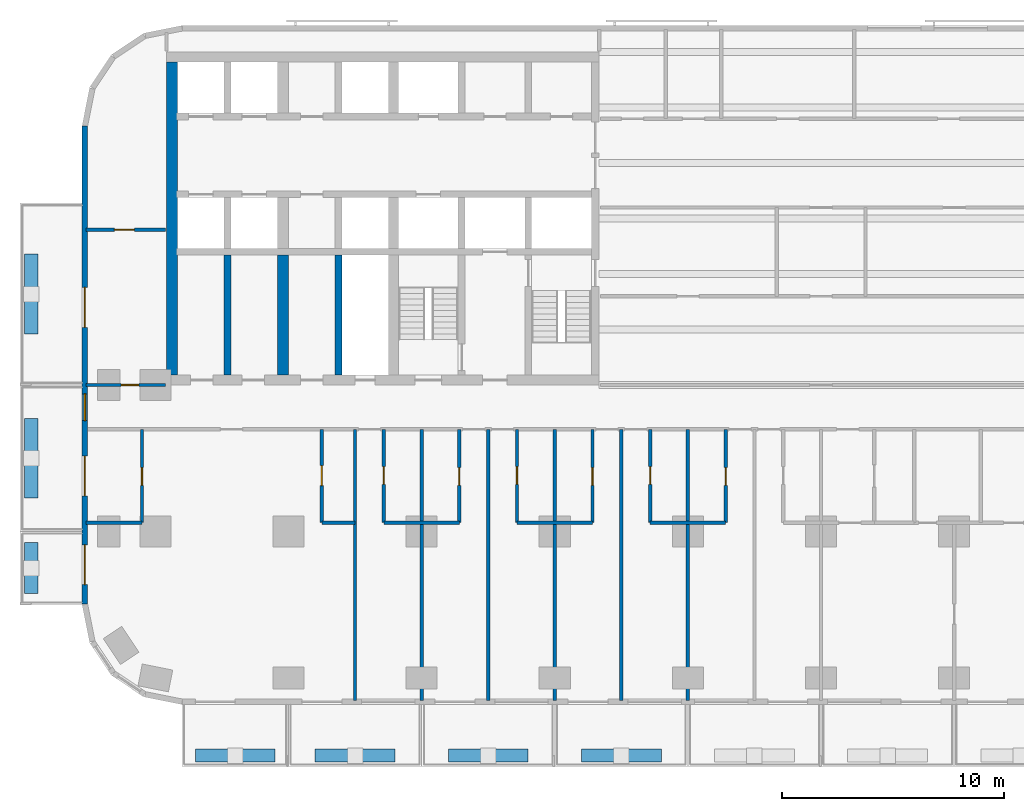
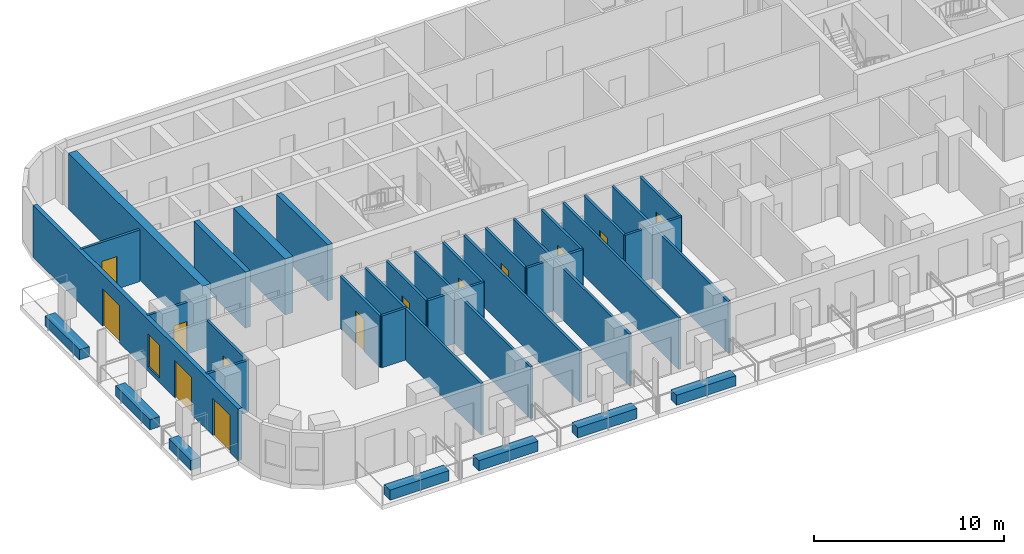
# One storey, part 2 of 13: 33 walls, 13 doors, 1 window, 14 openings.
"""IFC4 building model written with IfcOpenShell, lengths in metres."""

import ifcopenshell
import ifcopenshell.guid

model = None  # the IFC model being written
_history = None  # IfcOwnerHistory: only IFC2X3 demands one
_inside = {}  # id of a spatial element -> (the spatial element, [elements in it])
_under = {}  # id of a project, library or spatial element -> (it, [spatial elements below it])
_declared = {}  # id of a project -> (the project, [libraries it declares])
_typed = {}  # id of a type object -> (the type object, [elements of that type])
_made_of = {}  # id of a material, layer set ... -> (it, [elements and type objects made of it])


def new_model(schema):
    """Start an empty IFC model of exactly this schema.

    Asked for "IFC4X3", IfcOpenShell would pick the latest addendum, in which some entities
    have other attributes; the version numbers below select the first issue.
    IFC2X3 requires an IfcOwnerHistory on every rooted entity: one is made here for all.
    """
    global model, _history
    if schema == "IFC4X3":
        model = ifcopenshell.file(schema_version=(4, 3, 0, 0))
    else:
        model = ifcopenshell.file(schema=schema)
    _inside.clear()
    _under.clear()
    _declared.clear()
    _typed.clear()
    _made_of.clear()
    _history = None
    if model.schema == "IFC2X3":
        org = make("IfcOrganization", Name="unknown")
        user = make(
            "IfcPersonAndOrganization",
            ThePerson=make("IfcPerson", FamilyName="unknown"),
            TheOrganization=org,
        )
        app = make(
            "IfcApplication",
            ApplicationDeveloper=org,
            Version="unknown",
            ApplicationFullName="unknown",
            ApplicationIdentifier="unknown",
        )
        _history = make(
            "IfcOwnerHistory",
            OwningUser=user,
            OwningApplication=app,
            ChangeAction="ADDED",
            CreationDate=0,
        )
    return model


def make(cls, **values):
    """One entity of the class cls with the attributes given. An attribute that is None is left unset."""
    return model.create_entity(
        cls, **{name: value for name, value in values.items() if value is not None}
    )


def rooted(cls, **values):
    """An entity with a GlobalId (a new one), such as an element, a storey or a relation."""
    return make(cls, GlobalId=ifcopenshell.guid.new(), OwnerHistory=_history, **values)


def si_unit(unit_type, name, prefix=None):
    """IfcSIUnit, for example si_unit("LENGTHUNIT", "METRE", prefix="MILLI")."""
    return make("IfcSIUnit", UnitType=unit_type, Prefix=prefix, Name=name)


def assignment(units):
    """IfcUnitAssignment: the units of a project."""
    return None if units is None else make("IfcUnitAssignment", Units=units)


def point(xyz):
    """IfcCartesianPoint."""
    return None if xyz is None else make("IfcCartesianPoint", Coordinates=xyz)


def direction(xyz):
    """IfcDirection."""
    return None if xyz is None else make("IfcDirection", DirectionRatios=xyz)


def frame(location, z_axis=None, x_axis=None):
    """IfcAxis2Placement3D, a coordinate frame: its origin and axes. An axis left out is left unset."""
    return make(
        "IfcAxis2Placement3D",
        Location=point(location),
        Axis=direction(z_axis),
        RefDirection=direction(x_axis),
    )


def frame_2d(location, x_axis=None):
    """IfcAxis2Placement2D, a coordinate frame in the plane: its origin and x axis."""
    return make(
        "IfcAxis2Placement2D", Location=point(location), RefDirection=direction(x_axis)
    )


def origin():
    """The frame at (0, 0, 0) with its axes left unset."""
    return frame((0.0, 0.0, 0.0))


def place(relative_to, where):
    """IfcLocalPlacement: puts the frame where relative to a parent placement (None: the world)."""
    return make(
        "IfcLocalPlacement", PlacementRelTo=relative_to, RelativePlacement=where
    )


def context(
    kind, dimensions, precision=None, world=None, true_north=None, identifier=None
):
    """IfcGeometricRepresentationContext, for example the 3D "Model" context."""
    return make(
        "IfcGeometricRepresentationContext",
        ContextIdentifier=identifier,
        ContextType=kind,
        CoordinateSpaceDimension=dimensions,
        Precision=precision,
        WorldCoordinateSystem=world,
        TrueNorth=true_north,
    )


def subcontext(parent, identifier, kind, view, scale=None):
    """IfcGeometricRepresentationSubContext, for example "Body" below "Model"."""
    return make(
        "IfcGeometricRepresentationSubContext",
        ContextIdentifier=identifier,
        ContextType=kind,
        ParentContext=parent,
        TargetScale=scale,
        TargetView=view,
    )


def project(units=None, contexts=None):
    """IfcProject with its units and contexts."""
    return rooted(
        "IfcProject",
        Name="project",
        RepresentationContexts=contexts,
        UnitsInContext=assignment(units),
    )


def spatial(cls, under=None, at=None, **own):
    """A site, building, storey or space (cls), placed at a placement, below another one or the project."""
    s = rooted(cls, ObjectPlacement=at, **own)
    if under is not None:
        _under.setdefault(under.id(), (under, []))[1].append(s)
    return s


def profile(cls, at=None, kind="AREA", **sizes):
    """A parametric profile (cls). Its sizes go by their IFC names, for example OverallWidth=200.0."""
    return make(cls, ProfileType=kind, Position=at, **sizes)


def rectangle(**sizes):
    """IfcRectangleProfileDef."""
    return profile("IfcRectangleProfileDef", **sizes)


def extrude(swept, where, along, depth):
    """IfcExtrudedAreaSolid: the profile swept, set in the frame where, extruded along a direction by depth."""
    return make(
        "IfcExtrudedAreaSolid",
        SweptArea=swept,
        Position=where,
        ExtrudedDirection=direction(along),
        Depth=depth,
    )


def shape(context_of_items, identifier, shape_type, items):
    """IfcShapeRepresentation: the items that make up one representation, for example the "Body"."""
    return make(
        "IfcShapeRepresentation",
        ContextOfItems=context_of_items,
        RepresentationIdentifier=identifier,
        RepresentationType=shape_type,
        Items=items,
    )


def material(Name=None, Category=None):
    """IfcMaterial."""
    return make("IfcMaterial", Name=Name, Category=Category)


def layer(
    of_material, thickness, ventilated=None, Name=None, Category=None, Priority=None
):
    """IfcMaterialLayer: one layer of a wall or slab, of a material (None: an air gap)."""
    return make(
        "IfcMaterialLayer",
        Material=of_material,
        LayerThickness=thickness,
        IsVentilated=ventilated,
        Name=Name,
        Category=Category,
        Priority=Priority,
    )


def layer_set(layers, Name=None):
    """IfcMaterialLayerSet."""
    return make("IfcMaterialLayerSet", MaterialLayers=layers, LayerSetName=Name)


def made_of(thing, what):
    """Note that an element or type object is made of a material, layer set ...; save() writes the relation."""
    if what is not None:
        _made_of.setdefault(what.id(), (what, []))[1].append(thing)
    return thing


def type_object(cls, material=None, **own):
    """A type object (cls), such as IfcWallType, which elements share."""
    return made_of(rooted(cls, **own), material)


def element(
    cls,
    number,
    at=None,
    inside=None,
    cuts=None,
    type_object=None,
    material=None,
    context=None,
    identifier="Body",
    shape_type=None,
    held_by="IfcProductDefinitionShape",
    body=None,
    shapes=None,
    **own,
):
    """One element of the class cls, such as IfcWall. Its Tag is "e" and its number.

    at: its placement. inside: the storey or other place that contains it. cuts: it is an
    opening in that element (IfcRelVoidsElement). A single representation is given by context,
    identifier, shape_type and body (its items); several are given by shapes. held_by: the class
    of the entity that holds the representations. save() writes the other relations.
    """
    e = rooted(cls, Tag="e%d" % number, ObjectPlacement=at, **own)
    if body is not None:
        shapes = [shape(context, identifier, shape_type, body)]
    if shapes is not None:
        e.Representation = make(held_by, Representations=shapes)
    if inside is not None:
        _inside.setdefault(inside.id(), (inside, []))[1].append(e)
    if cuts is not None:
        rooted(
            "IfcRelVoidsElement", RelatingBuildingElement=cuts, RelatedOpeningElement=e
        )
    if type_object is not None:
        _typed.setdefault(type_object.id(), (type_object, []))[1].append(e)
    return made_of(e, material)


def fill(opening, filler):
    """IfcRelFillsElement: the door or window that sits in an opening."""
    return rooted(
        "IfcRelFillsElement",
        RelatingOpeningElement=opening,
        RelatedBuildingElement=filler,
    )


def aggregate(whole, parts):
    """IfcRelAggregates: a whole, such as a stair, and the parts it consists of."""
    return rooted("IfcRelAggregates", RelatingObject=whole, RelatedObjects=parts)


def save(model, path):
    """Write the relations noted so far, then the file.

    IfcRelAggregates (storeys below a building ...), IfcRelContainedInSpatialStructure (elements
    in a storey), IfcRelDefinesByType, IfcRelAssociatesMaterial and IfcRelDeclares: one each for
    every whole, place, type object, material and project.
    """
    for whole, parts in _under.values():
        aggregate(whole, parts)
    for where, things in _inside.values():
        rooted(
            "IfcRelContainedInSpatialStructure",
            RelatedElements=things,
            RelatingStructure=where,
        )
    for kind, things in _typed.values():
        rooted("IfcRelDefinesByType", RelatedObjects=things, RelatingType=kind)
    for what, things in _made_of.values():
        rooted("IfcRelAssociatesMaterial", RelatedObjects=things, RelatingMaterial=what)
    for by, libraries in _declared.values():
        rooted("IfcRelDeclares", RelatingContext=by, RelatedDefinitions=libraries)
    model.write(path)


model = new_model("IFC4")

# Units and contexts
model_context = context("Model", 3, precision=1e-05, world=origin(), true_north=direction((0.0, 1.0)))
body_context = subcontext(model_context, "Body", "Model", "MODEL_VIEW")
ifc_project = project(units=[si_unit("LENGTHUNIT", "METRE"), si_unit("AREAUNIT", "SQUARE_METRE"), si_unit("VOLUMEUNIT", "CUBIC_METRE"), si_unit("PLANEANGLEUNIT", "RADIAN"), si_unit("MASSUNIT", "GRAM", prefix="KILO")], contexts=[model_context])

# Site, building, storey
site_placement = place(None, origin())
site = spatial("IfcSite", under=ifc_project, at=site_placement, CompositionType="ELEMENT")
building_placement = place(site_placement, origin())
building = spatial("IfcBuilding", under=site, at=building_placement, Name="Torana Hotel and Residences", CompositionType="ELEMENT")
storey_placement = place(building_placement, frame((0.0, 0.0, 56.39990234375)))
storey = spatial("IfcBuildingStorey", under=building, at=storey_placement, Name="L13", CompositionType="ELEMENT", Elevation=56.39990234375)

# Walls
ifc_material_1 = material(Name="Concrete C80/95", Category="concrete")
ifc_layer_1 = layer(ifc_material_1, 0.300048828125)
ifc_layer_set_1 = layer_set([ifc_layer_1], Name="CORE WALL 300 C80/95")
wall_type_1 = type_object("IfcWallType", Name="CORE WALL 300 C80/95", PredefinedType="SHEAR", material=ifc_layer_set_1)
for number, where, z_axis, x_axis, name in (
    (1, (-21.75, -14.550048828125, 0.0), (0.0, 0.0, 1.0), (0.0, 1.0, 0.0), "Core wall W mm-band"),
    (2, (-26.75, -14.550048828125, 0.0), (0.0, 0.0, 1.0), (0.0, 1.0, 0.0), "Core wall W ll-band"),
):
    element("IfcWall", number, at=place(storey_placement, frame(where, z_axis=z_axis, x_axis=x_axis)), inside=storey, type_object=wall_type_1, Name=name, PredefinedType="SHEAR", context=body_context, shape_type="SweptSolid", body=[
        extrude(rectangle(XDim=5.400146484375, YDim=0.300048828125, at=frame_2d((2.7001953125, 0.0))), origin(), (0.0, 0.0, 1.0), 3.60009765625),
    ])
ifc_material_2 = material(Name="Concrete C80/95", Category="concrete")
ifc_layer_2 = layer(ifc_material_2, 0.5)
ifc_layer_set_2 = layer_set([ifc_layer_2], Name="CORE WALL 500 C80/95")
wall_type_2 = type_object("IfcWallType", Name="CORE WALL 500 C80/95", PredefinedType="SHEAR", material=ifc_layer_set_2)
wall_1_placement = place(storey_placement, frame((-29.25, -14.550048828125, 0.0), z_axis=(0.0, 0.0, 1.0), x_axis=(0.0, 1.0, 0.0)))
element("IfcWall", 3, at=wall_1_placement, inside=storey, type_object=wall_type_2, Name="Core wall W outer", PredefinedType="SHEAR", context=body_context, shape_type="SweptSolid", body=[
    extrude(rectangle(XDim=14.10009765625, YDim=0.5, at=frame_2d((7.050048828125, 0.0))), origin(), (0.0, 0.0, 1.0), 3.60009765625),
])
wall_2_placement = place(storey_placement, frame((-24.25, -14.550048828125, 0.0), z_axis=(0.0, 0.0, 1.0), x_axis=(0.0, 1.0, 0.0)))
element("IfcWall", 4, at=wall_2_placement, inside=storey, type_object=wall_type_2, Name="Core wall W ml-band", PredefinedType="SHEAR", context=body_context, shape_type="SweptSolid", body=[
    extrude(rectangle(XDim=5.400146484375, YDim=0.5, at=frame_2d((2.7001953125, 0.0))), origin(), (0.0, 0.0, 1.0), 3.60009765625),
])

# Wall, openings, doors, window
ifc_material_3 = material(Name="Black aluminium composite panel", Category="aluminium")
ifc_layer_3 = layer(ifc_material_3, 0.00390625, Name="Cladding", Category="cladding")
ifc_material_4 = material(Name="Ventilated air cavity")
ifc_layer_4 = layer(ifc_material_4, 0.0400390625, Name="Ventilated cavity", Category="cavity")
ifc_material_5 = material(Name="Mineral wool insulation")
ifc_layer_5 = layer(ifc_material_5, 0.090087890625, Name="Insulation", Category="insulation")
ifc_material_6 = material(Name="Steel S280GD", Category="steel")
ifc_layer_6 = layer(ifc_material_6, 0.092041015625, Name="Steel stud frame", Category="structure")
ifc_material_7 = material(Name="Fire rated plasterboard")
ifc_layer_7 = layer(ifc_material_7, 0.011962890625, Name="Inner board", Category="finish")
ifc_layer_8 = layer(ifc_material_7, 0.011962890625, Name="Second board", Category="finish")
ifc_layer_set_3 = layer_set([ifc_layer_3, ifc_layer_4, ifc_layer_5, ifc_layer_6, ifc_layer_7, ifc_layer_8], Name="EW1 EXTERNAL WALL BLACK METAL CLAD 250")
wall_type_3 = type_object("IfcWallType", Name="EW1 EXTERNAL WALL BLACK METAL CLAD 250", PredefinedType="SOLIDWALL", material=ifc_layer_set_3)
wall_3_placement = place(storey_placement, frame((-33.175048828125, -3.32470703125, 0.0), z_axis=(0.0, 0.0, 1.0), x_axis=(0.0, -1.0, 0.0)))
wall_3 = element("IfcWall", 5, at=wall_3_placement, inside=storey, type_object=wall_type_3, Name="External wall L13 e0.9", PredefinedType="SOLIDWALL", context=body_context, shape_type="SweptSolid", body=[
    extrude(rectangle(XDim=21.55078125, YDim=0.25, at=frame_2d((10.775390625, 0.0))), origin(), (0.0, 0.0, 1.0), 3.320068359375),
])
opening_1_placement = place(wall_3_placement, frame((7.275390625, 0.0, 0.0)))
opening_1 = element("IfcOpeningElement", 6, at=opening_1_placement, cuts=wall_3, Name="Opening L13-E14", PredefinedType="OPENING", context=body_context, shape_type="SweptSolid", body=[
    extrude(rectangle(XDim=1.800048828125, YDim=2.39990234375, at=frame_2d((0.89990234375, 1.199951171875))), frame((0.0, 0.135009765625, 0.0), z_axis=(0.0, -1.0, 0.0), x_axis=(1.0, 0.0, 0.0)), (0.0, 0.0, 1.0), 0.27001953125),
])
opening_2_placement = place(wall_3_placement, frame((12.075439453125, 0.0, 0.300048828125)))
opening_2 = element("IfcOpeningElement", 7, at=opening_2_placement, cuts=wall_3, Name="Opening W7", PredefinedType="OPENING", context=body_context, shape_type="SweptSolid", body=[
    extrude(rectangle(XDim=1.199951171875, YDim=2.10009765625, at=frame_2d((0.60009765625, 1.050048828125))), frame((0.0, 0.135009765625, 0.0), z_axis=(0.0, -1.0, 0.0), x_axis=(1.0, 0.0, 0.0)), (0.0, 0.0, 1.0), 0.27001953125),
])
opening_3_placement = place(wall_3_placement, frame((14.87548828125, 0.0, 0.0)))
opening_3 = element("IfcOpeningElement", 8, at=opening_3_placement, cuts=wall_3, Name="Opening L13-E15", PredefinedType="OPENING", context=body_context, shape_type="SweptSolid", body=[
    extrude(rectangle(XDim=1.800048828125, YDim=2.39990234375, at=frame_2d((0.89990234375, 1.199951171875))), frame((0.0, 0.135009765625, 0.0), z_axis=(0.0, -1.0, 0.0), x_axis=(1.0, 0.0, 0.0)), (0.0, 0.0, 1.0), 0.27001953125),
])
opening_4_placement = place(wall_3_placement, frame((18.87548828125, 0.0, 0.0)))
opening_4 = element("IfcOpeningElement", 9, at=opening_4_placement, cuts=wall_3, Name="Opening L13-E16", PredefinedType="OPENING", context=body_context, shape_type="SweptSolid", body=[
    extrude(rectangle(XDim=1.800048828125, YDim=2.39990234375, at=frame_2d((0.89990234375, 1.199951171875))), frame((0.0, 0.135009765625, 0.0), z_axis=(0.0, -1.0, 0.0), x_axis=(1.0, 0.0, 0.0)), (0.0, 0.0, 1.0), 0.27001953125),
])
ifc_material_8 = material(Name="Dark glass in black aluminium frame", Category="aluminium")
door_type_1 = type_object("IfcDoorType", Name="DB1 BALCONY DOOR 1800x2400", OperationType="DOUBLE_DOOR_SINGLE_SWING", PredefinedType="DOOR", material=ifc_material_8)
door_1_placement = place(opening_1_placement, origin())
door_1 = element("IfcDoor", 10, at=door_1_placement, inside=storey, type_object=door_type_1, Name="Balcony door L13", OperationType="DOUBLE_DOOR_SINGLE_SWING", OverallHeight=2.39990234375, OverallWidth=1.800048828125, PredefinedType="DOOR", context=body_context, shape_type="SweptSolid", body=[
    extrude(rectangle(XDim=1.800048828125, YDim=2.39990234375, at=frame_2d((0.89990234375, 1.199951171875))), frame((0.0, 0.02490234375, 0.0), z_axis=(0.0, -1.0, 0.0), x_axis=(1.0, 0.0, 0.0)), (0.0, 0.0, 1.0), 0.050048828125),
])
fill(opening_1, door_1)
door_2_placement = place(opening_3_placement, origin())
door_2 = element("IfcDoor", 11, at=door_2_placement, inside=storey, type_object=door_type_1, Name="Balcony door L13", OperationType="DOUBLE_DOOR_SINGLE_SWING", OverallHeight=2.39990234375, OverallWidth=1.800048828125, PredefinedType="DOOR", context=body_context, shape_type="SweptSolid", body=[
    extrude(rectangle(XDim=1.800048828125, YDim=2.39990234375, at=frame_2d((0.89990234375, 1.199951171875))), frame((0.0, 0.02490234375, 0.0), z_axis=(0.0, -1.0, 0.0), x_axis=(1.0, 0.0, 0.0)), (0.0, 0.0, 1.0), 0.050048828125),
])
fill(opening_3, door_2)
door_3_placement = place(opening_4_placement, frame((0.89990234375, 0.0, 0.0), z_axis=(0.0, 0.0, 1.0), x_axis=(-1.0, 0.0, 0.0)))
door_3 = element("IfcDoor", 12, at=door_3_placement, inside=storey, type_object=door_type_1, Name="Balcony door L13", OperationType="DOUBLE_DOOR_SINGLE_SWING", OverallHeight=2.39990234375, OverallWidth=1.800048828125, PredefinedType="DOOR", context=body_context, shape_type="SweptSolid", body=[
    extrude(rectangle(XDim=1.800048828125, YDim=2.39990234375, at=frame_2d((0.0, 1.199951171875))), frame((0.0, -0.02490234375, 0.0), z_axis=(0.0, 1.0, 0.0), x_axis=(-1.0, 0.0, 0.0)), (0.0, 0.0, 1.0), 0.050048828125),
])
fill(opening_4, door_3)
ifc_material_9 = material(Name="Dark glass in black aluminium frame", Category="aluminium")
window_type = type_object("IfcWindowType", Name="W7 HOTEL CORRIDOR WINDOW 1200x2100", PartitioningType="SINGLE_PANEL", PredefinedType="WINDOW", material=ifc_material_9)
window_placement = place(opening_2_placement, origin())
window = element("IfcWindow", 13, at=window_placement, inside=storey, type_object=window_type, Name="Window L13", OverallHeight=2.10009765625, OverallWidth=1.199951171875, PartitioningType="SINGLE_PANEL", PredefinedType="WINDOW", context=body_context, shape_type="SweptSolid", body=[
    extrude(rectangle(XDim=1.199951171875, YDim=2.10009765625, at=frame_2d((0.60009765625, 1.050048828125))), frame((0.0, 0.030029296875, 0.0), z_axis=(0.0, -1.0, 0.0), x_axis=(1.0, 0.0, 0.0)), (0.0, 0.0, 1.0), 0.06005859375),
])
fill(opening_2, window)

# Wall, opening, door
ifc_material_10 = material(Name="Gypsum plaster")
ifc_layer_9 = layer(ifc_material_10, 0.014892578125, Name="Plaster", Category="finish")
ifc_material_11 = material(Name="Concrete blockwork", Category="masonry")
ifc_layer_10 = layer(ifc_material_11, 0.1201171875, Name="Blockwork", Category="structure")
ifc_layer_11 = layer(ifc_material_10, 0.014892578125, Name="Plaster", Category="finish")
ifc_layer_set_4 = layer_set([ifc_layer_9, ifc_layer_10, ifc_layer_11], Name="FIRE PARTITION 150 BLOCKWORK")
wall_type_4 = type_object("IfcWallType", Name="FIRE PARTITION 150 BLOCKWORK", PredefinedType="PARTITIONING", material=ifc_layer_set_4)
wall_4_placement = place(storey_placement, frame((-33.1201171875, -15.0, 0.0), z_axis=(0.0, 0.0, 1.0), x_axis=(1.0, 0.0, 0.0)))
wall_4 = element("IfcWall", 14, at=wall_4_placement, inside=storey, type_object=wall_type_4, Name="Partition L13", PredefinedType="PARTITIONING", context=body_context, shape_type="SweptSolid", body=[
    extrude(rectangle(XDim=3.570068359375, YDim=0.14990234375, at=frame_2d((1.78515625, 0.0))), origin(), (0.0, 0.0, 1.0), 3.320068359375),
])
opening_5_placement = place(wall_4_placement, frame((1.580078125, 0.0, 0.0)))
opening_5 = element("IfcOpeningElement", 15, at=opening_5_placement, cuts=wall_4, Name="Opening L13-46", PredefinedType="OPENING", context=body_context, shape_type="SweptSolid", body=[
    extrude(rectangle(XDim=0.800048828125, YDim=2.10009765625, at=frame_2d((0.39990234375, 1.050048828125))), frame((0.0, 0.0849609375, 0.0), z_axis=(0.0, -1.0, 0.0), x_axis=(1.0, 0.0, 0.0)), (0.0, 0.0, 1.0), 0.169921875),
])
ifc_material_12 = material(Name="Steel S235", Category="steel")
door_type_2 = type_object("IfcDoorType", Name="STORE FIRE DOOR D16 800x2100", OperationType="SINGLE_SWING_LEFT", PredefinedType="DOOR", material=ifc_material_12)
door_4_placement = place(opening_5_placement, origin())
door_4 = element("IfcDoor", 16, at=door_4_placement, inside=storey, type_object=door_type_2, Name="Door L13", OperationType="SINGLE_SWING_RIGHT", OverallHeight=2.10009765625, OverallWidth=0.800048828125, PredefinedType="DOOR", context=body_context, shape_type="SweptSolid", body=[
    extrude(rectangle(XDim=0.800048828125, YDim=2.10009765625, at=frame_2d((0.39990234375, 1.050048828125))), frame((0.0, 0.02490234375, 0.0), z_axis=(0.0, -1.0, 0.0), x_axis=(1.0, 0.0, 0.0)), (0.0, 0.0, 1.0), 0.050048828125),
])
fill(opening_5, door_4)

ifc_material_13 = material(Name="Gypsum plasterboard")
ifc_layer_12 = layer(ifc_material_13, 0.012451171875, Name="Plasterboard", Category="finish")
ifc_layer_13 = layer(ifc_material_13, 0.012451171875, Name="Plasterboard", Category="finish")
ifc_layer_14 = layer(ifc_material_6, 0.10009765625, Name="Steel studs with mineral wool", Category="insulation")
ifc_layer_15 = layer(ifc_material_13, 0.012451171875, Name="Plasterboard", Category="finish")
ifc_layer_16 = layer(ifc_material_13, 0.012451171875, Name="Plasterboard", Category="finish")
ifc_layer_set_5 = layer_set([ifc_layer_12, ifc_layer_13, ifc_layer_14, ifc_layer_15, ifc_layer_16], Name="PARTITION 150 PLASTERBOARD")
wall_type_5 = type_object("IfcWallType", Name="PARTITION 150 PLASTERBOARD", PredefinedType="PARTITIONING", material=ifc_layer_set_5)
wall_5_placement = place(storey_placement, frame((-4.300048828125, -21.199951171875, 0.0), z_axis=(0.0, 0.0, 1.0), x_axis=(0.0, 1.0, 0.0)))
wall_5 = element("IfcWall", 17, at=wall_5_placement, inside=storey, type_object=wall_type_5, Name="Partition L13", PredefinedType="PARTITIONING", context=body_context, shape_type="SweptSolid", body=[
    extrude(rectangle(XDim=4.199951171875, YDim=0.14990234375, at=frame_2d((2.10009765625, 0.0))), origin(), (0.0, 0.0, 1.0), 3.320068359375),
])
opening_6_placement = place(wall_5_placement, frame((1.679931640625, 0.0, 0.0)))
opening_6 = element("IfcOpeningElement", 18, at=opening_6_placement, cuts=wall_5, Name="Opening L13-61", PredefinedType="OPENING", context=body_context, shape_type="SweptSolid", body=[
    extrude(rectangle(XDim=0.800048828125, YDim=2.10009765625, at=frame_2d((0.39990234375, 1.050048828125))), frame((0.0, 0.0849609375, 0.0), z_axis=(0.0, -1.0, 0.0), x_axis=(1.0, 0.0, 0.0)), (0.0, 0.0, 1.0), 0.169921875),
])
ifc_material_14 = material(Name="Timber door, painted", Category="wood")
door_type_3 = type_object("IfcDoorType", Name="BATH DOOR D13 800x2100", OperationType="SINGLE_SWING_LEFT", PredefinedType="DOOR", material=ifc_material_14)
door_5_placement = place(opening_6_placement, origin())
door_5 = element("IfcDoor", 19, at=door_5_placement, inside=storey, type_object=door_type_3, Name="Door L13", OperationType="SINGLE_SWING_RIGHT", OverallHeight=2.10009765625, OverallWidth=0.800048828125, PredefinedType="DOOR", context=body_context, shape_type="SweptSolid", body=[
    extrude(rectangle(XDim=0.800048828125, YDim=2.10009765625, at=frame_2d((0.39990234375, 1.050048828125))), frame((0.0, 0.02490234375, 0.0), z_axis=(0.0, -1.0, 0.0), x_axis=(1.0, 0.0, 0.0)), (0.0, 0.0, 1.0), 0.050048828125),
])
fill(opening_6, door_5)

# Wall
wall_6_placement = place(storey_placement, frame((-6.0, -29.219970703125, 0.0), z_axis=(0.0, 0.0, 1.0), x_axis=(0.0, 1.0, 0.0)))
element("IfcWall", 20, at=wall_6_placement, inside=storey, type_object=wall_type_5, Name="Partition L13", PredefinedType="PARTITIONING", context=body_context, shape_type="SweptSolid", body=[
    extrude(rectangle(XDim=12.219970703125, YDim=0.14990234375, at=frame_2d((6.10986328125, 0.0))), origin(), (0.0, 0.0, 1.0), 3.320068359375),
])

# Wall, opening, door
wall_7_placement = place(storey_placement, frame((-7.699951171875, -21.199951171875, 0.0), z_axis=(0.0, 0.0, 1.0), x_axis=(0.0, 1.0, 0.0)))
wall_7 = element("IfcWall", 21, at=wall_7_placement, inside=storey, type_object=wall_type_5, Name="Partition L13", PredefinedType="PARTITIONING", context=body_context, shape_type="SweptSolid", body=[
    extrude(rectangle(XDim=4.199951171875, YDim=0.14990234375, at=frame_2d((2.10009765625, 0.0))), origin(), (0.0, 0.0, 1.0), 3.320068359375),
])
opening_7_placement = place(wall_7_placement, frame((1.719970703125, 0.0, 0.0)))
opening_7 = element("IfcOpeningElement", 22, at=opening_7_placement, cuts=wall_7, Name="Opening L13-60", PredefinedType="OPENING", context=body_context, shape_type="SweptSolid", body=[
    extrude(rectangle(XDim=0.800048828125, YDim=2.10009765625, at=frame_2d((0.39990234375, 1.050048828125))), frame((0.0, 0.0849609375, 0.0), z_axis=(0.0, -1.0, 0.0), x_axis=(1.0, 0.0, 0.0)), (0.0, 0.0, 1.0), 0.169921875),
])
door_6_placement = place(opening_7_placement, origin())
door_6 = element("IfcDoor", 23, at=door_6_placement, inside=storey, type_object=door_type_3, Name="Door L13", OperationType="SINGLE_SWING_RIGHT", OverallHeight=2.10009765625, OverallWidth=0.800048828125, PredefinedType="DOOR", context=body_context, shape_type="SweptSolid", body=[
    extrude(rectangle(XDim=0.800048828125, YDim=2.10009765625, at=frame_2d((0.39990234375, 1.050048828125))), frame((0.0, 0.02490234375, 0.0), z_axis=(0.0, -1.0, 0.0), x_axis=(1.0, 0.0, 0.0)), (0.0, 0.0, 1.0), 0.050048828125),
])
fill(opening_7, door_6)

# Wall
wall_8_placement = place(storey_placement, frame((-9.0, -29.219970703125, 0.0), z_axis=(0.0, 0.0, 1.0), x_axis=(0.0, 1.0, 0.0)))
element("IfcWall", 24, at=wall_8_placement, inside=storey, type_object=wall_type_5, Name="Partition L13", PredefinedType="PARTITIONING", context=body_context, shape_type="SweptSolid", body=[
    extrude(rectangle(XDim=12.219970703125, YDim=0.14990234375, at=frame_2d((6.10986328125, 0.0))), origin(), (0.0, 0.0, 1.0), 3.320068359375),
])

# Wall, opening, door
wall_9_placement = place(storey_placement, frame((-10.300048828125, -21.199951171875, 0.0), z_axis=(0.0, 0.0, 1.0), x_axis=(0.0, 1.0, 0.0)))
wall_9 = element("IfcWall", 25, at=wall_9_placement, inside=storey, type_object=wall_type_5, Name="Partition L13", PredefinedType="PARTITIONING", context=body_context, shape_type="SweptSolid", body=[
    extrude(rectangle(XDim=4.199951171875, YDim=0.14990234375, at=frame_2d((2.10009765625, 0.0))), origin(), (0.0, 0.0, 1.0), 3.320068359375),
])
opening_8_placement = place(wall_9_placement, frame((1.679931640625, 0.0, 0.0)))
opening_8 = element("IfcOpeningElement", 26, at=opening_8_placement, cuts=wall_9, Name="Opening L13-59", PredefinedType="OPENING", context=body_context, shape_type="SweptSolid", body=[
    extrude(rectangle(XDim=0.800048828125, YDim=2.10009765625, at=frame_2d((0.39990234375, 1.050048828125))), frame((0.0, 0.0849609375, 0.0), z_axis=(0.0, -1.0, 0.0), x_axis=(1.0, 0.0, 0.0)), (0.0, 0.0, 1.0), 0.169921875),
])
door_7_placement = place(opening_8_placement, origin())
door_7 = element("IfcDoor", 27, at=door_7_placement, inside=storey, type_object=door_type_3, Name="Door L13", OperationType="SINGLE_SWING_RIGHT", OverallHeight=2.10009765625, OverallWidth=0.800048828125, PredefinedType="DOOR", context=body_context, shape_type="SweptSolid", body=[
    extrude(rectangle(XDim=0.800048828125, YDim=2.10009765625, at=frame_2d((0.39990234375, 1.050048828125))), frame((0.0, 0.02490234375, 0.0), z_axis=(0.0, -1.0, 0.0), x_axis=(1.0, 0.0, 0.0)), (0.0, 0.0, 1.0), 0.050048828125),
])
fill(opening_8, door_7)

# Wall
wall_10_placement = place(storey_placement, frame((-12.0, -29.219970703125, 0.0), z_axis=(0.0, 0.0, 1.0), x_axis=(0.0, 1.0, 0.0)))
element("IfcWall", 28, at=wall_10_placement, inside=storey, type_object=wall_type_5, Name="Partition L13", PredefinedType="PARTITIONING", context=body_context, shape_type="SweptSolid", body=[
    extrude(rectangle(XDim=12.219970703125, YDim=0.14990234375, at=frame_2d((6.10986328125, 0.0))), origin(), (0.0, 0.0, 1.0), 3.320068359375),
])

# Wall, opening, door
wall_11_placement = place(storey_placement, frame((-13.699951171875, -21.199951171875, 0.0), z_axis=(0.0, 0.0, 1.0), x_axis=(0.0, 1.0, 0.0)))
wall_11 = element("IfcWall", 29, at=wall_11_placement, inside=storey, type_object=wall_type_5, Name="Partition L13", PredefinedType="PARTITIONING", context=body_context, shape_type="SweptSolid", body=[
    extrude(rectangle(XDim=4.199951171875, YDim=0.14990234375, at=frame_2d((2.10009765625, 0.0))), origin(), (0.0, 0.0, 1.0), 3.320068359375),
])
opening_9_placement = place(wall_11_placement, frame((1.719970703125, 0.0, 0.0)))
opening_9 = element("IfcOpeningElement", 30, at=opening_9_placement, cuts=wall_11, Name="Opening L13-58", PredefinedType="OPENING", context=body_context, shape_type="SweptSolid", body=[
    extrude(rectangle(XDim=0.800048828125, YDim=2.10009765625, at=frame_2d((0.39990234375, 1.050048828125))), frame((0.0, 0.0849609375, 0.0), z_axis=(0.0, -1.0, 0.0), x_axis=(1.0, 0.0, 0.0)), (0.0, 0.0, 1.0), 0.169921875),
])
door_8_placement = place(opening_9_placement, origin())
door_8 = element("IfcDoor", 31, at=door_8_placement, inside=storey, type_object=door_type_3, Name="Door L13", OperationType="SINGLE_SWING_RIGHT", OverallHeight=2.10009765625, OverallWidth=0.800048828125, PredefinedType="DOOR", context=body_context, shape_type="SweptSolid", body=[
    extrude(rectangle(XDim=0.800048828125, YDim=2.10009765625, at=frame_2d((0.39990234375, 1.050048828125))), frame((0.0, 0.02490234375, 0.0), z_axis=(0.0, -1.0, 0.0), x_axis=(1.0, 0.0, 0.0)), (0.0, 0.0, 1.0), 0.050048828125),
])
fill(opening_9, door_8)

# Wall
wall_12_placement = place(storey_placement, frame((-15.0, -29.219970703125, 0.0), z_axis=(0.0, 0.0, 1.0), x_axis=(0.0, 1.0, 0.0)))
element("IfcWall", 32, at=wall_12_placement, inside=storey, type_object=wall_type_5, Name="Partition L13", PredefinedType="PARTITIONING", context=body_context, shape_type="SweptSolid", body=[
    extrude(rectangle(XDim=12.219970703125, YDim=0.14990234375, at=frame_2d((6.10986328125, 0.0))), origin(), (0.0, 0.0, 1.0), 3.320068359375),
])

# Wall, opening, door
wall_13_placement = place(storey_placement, frame((-16.300048828125, -21.199951171875, 0.0), z_axis=(0.0, 0.0, 1.0), x_axis=(0.0, 1.0, 0.0)))
wall_13 = element("IfcWall", 33, at=wall_13_placement, inside=storey, type_object=wall_type_5, Name="Partition L13", PredefinedType="PARTITIONING", context=body_context, shape_type="SweptSolid", body=[
    extrude(rectangle(XDim=4.199951171875, YDim=0.14990234375, at=frame_2d((2.10009765625, 0.0))), origin(), (0.0, 0.0, 1.0), 3.320068359375),
])
opening_10_placement = place(wall_13_placement, frame((1.679931640625, 0.0, 0.0)))
opening_10 = element("IfcOpeningElement", 34, at=opening_10_placement, cuts=wall_13, Name="Opening L13-57", PredefinedType="OPENING", context=body_context, shape_type="SweptSolid", body=[
    extrude(rectangle(XDim=0.800048828125, YDim=2.10009765625, at=frame_2d((0.39990234375, 1.050048828125))), frame((0.0, 0.0849609375, 0.0), z_axis=(0.0, -1.0, 0.0), x_axis=(1.0, 0.0, 0.0)), (0.0, 0.0, 1.0), 0.169921875),
])
door_9_placement = place(opening_10_placement, origin())
door_9 = element("IfcDoor", 35, at=door_9_placement, inside=storey, type_object=door_type_3, Name="Door L13", OperationType="SINGLE_SWING_RIGHT", OverallHeight=2.10009765625, OverallWidth=0.800048828125, PredefinedType="DOOR", context=body_context, shape_type="SweptSolid", body=[
    extrude(rectangle(XDim=0.800048828125, YDim=2.10009765625, at=frame_2d((0.39990234375, 1.050048828125))), frame((0.0, 0.02490234375, 0.0), z_axis=(0.0, -1.0, 0.0), x_axis=(1.0, 0.0, 0.0)), (0.0, 0.0, 1.0), 0.050048828125),
])
fill(opening_10, door_9)

# Wall
wall_14_placement = place(storey_placement, frame((-18.0, -29.219970703125, 0.0), z_axis=(0.0, 0.0, 1.0), x_axis=(0.0, 1.0, 0.0)))
element("IfcWall", 36, at=wall_14_placement, inside=storey, type_object=wall_type_5, Name="Partition L13", PredefinedType="PARTITIONING", context=body_context, shape_type="SweptSolid", body=[
    extrude(rectangle(XDim=12.219970703125, YDim=0.14990234375, at=frame_2d((6.10986328125, 0.0))), origin(), (0.0, 0.0, 1.0), 3.320068359375),
])

# Wall, opening, door
wall_15_placement = place(storey_placement, frame((-19.699951171875, -21.199951171875, 0.0), z_axis=(0.0, 0.0, 1.0), x_axis=(0.0, 1.0, 0.0)))
wall_15 = element("IfcWall", 37, at=wall_15_placement, inside=storey, type_object=wall_type_5, Name="Partition L13", PredefinedType="PARTITIONING", context=body_context, shape_type="SweptSolid", body=[
    extrude(rectangle(XDim=4.199951171875, YDim=0.14990234375, at=frame_2d((2.10009765625, 0.0))), origin(), (0.0, 0.0, 1.0), 3.320068359375),
])
opening_11_placement = place(wall_15_placement, frame((1.719970703125, 0.0, 0.0)))
opening_11 = element("IfcOpeningElement", 38, at=opening_11_placement, cuts=wall_15, Name="Opening L13-56", PredefinedType="OPENING", context=body_context, shape_type="SweptSolid", body=[
    extrude(rectangle(XDim=0.800048828125, YDim=2.10009765625, at=frame_2d((0.39990234375, 1.050048828125))), frame((0.0, 0.0849609375, 0.0), z_axis=(0.0, -1.0, 0.0), x_axis=(1.0, 0.0, 0.0)), (0.0, 0.0, 1.0), 0.169921875),
])
door_10_placement = place(opening_11_placement, origin())
door_10 = element("IfcDoor", 39, at=door_10_placement, inside=storey, type_object=door_type_3, Name="Door L13", OperationType="SINGLE_SWING_RIGHT", OverallHeight=2.10009765625, OverallWidth=0.800048828125, PredefinedType="DOOR", context=body_context, shape_type="SweptSolid", body=[
    extrude(rectangle(XDim=0.800048828125, YDim=2.10009765625, at=frame_2d((0.39990234375, 1.050048828125))), frame((0.0, 0.02490234375, 0.0), z_axis=(0.0, -1.0, 0.0), x_axis=(1.0, 0.0, 0.0)), (0.0, 0.0, 1.0), 0.050048828125),
])
fill(opening_11, door_10)

# Wall
wall_16_placement = place(storey_placement, frame((-21.0, -29.219970703125, 0.0), z_axis=(0.0, 0.0, 1.0), x_axis=(0.0, 1.0, 0.0)))
element("IfcWall", 40, at=wall_16_placement, inside=storey, type_object=wall_type_5, Name="Partition L13", PredefinedType="PARTITIONING", context=body_context, shape_type="SweptSolid", body=[
    extrude(rectangle(XDim=12.219970703125, YDim=0.14990234375, at=frame_2d((6.10986328125, 0.0))), origin(), (0.0, 0.0, 1.0), 3.320068359375),
])

# Wall, opening, door
wall_17_placement = place(storey_placement, frame((-22.5, -21.199951171875, 0.0), z_axis=(0.0, 0.0, 1.0), x_axis=(0.0, 1.0, 0.0)))
wall_17 = element("IfcWall", 41, at=wall_17_placement, inside=storey, type_object=wall_type_5, Name="Partition L13", PredefinedType="PARTITIONING", context=body_context, shape_type="SweptSolid", body=[
    extrude(rectangle(XDim=4.199951171875, YDim=0.14990234375, at=frame_2d((2.10009765625, 0.0))), origin(), (0.0, 0.0, 1.0), 3.320068359375),
])
opening_12_placement = place(wall_17_placement, frame((1.669921875, 0.0, 0.0)))
opening_12 = element("IfcOpeningElement", 42, at=opening_12_placement, cuts=wall_17, Name="Opening L13-71", PredefinedType="OPENING", context=body_context, shape_type="SweptSolid", body=[
    extrude(rectangle(XDim=0.89990234375, YDim=2.10009765625, at=frame_2d((0.449951171875, 1.050048828125))), frame((0.0, 0.0849609375, 0.0), z_axis=(0.0, -1.0, 0.0), x_axis=(1.0, 0.0, 0.0)), (0.0, 0.0, 1.0), 0.169921875),
])
ifc_material_15 = material(Name="Timber door, oiled ash", Category="wood")
door_type_4 = type_object("IfcDoorType", Name="ROOM DOOR D7 900x2100", OperationType="SINGLE_SWING_LEFT", PredefinedType="DOOR", material=ifc_material_15)
door_11_placement = place(opening_12_placement, origin())
door_11 = element("IfcDoor", 43, at=door_11_placement, inside=storey, type_object=door_type_4, Name="Door L13", OperationType="SINGLE_SWING_RIGHT", OverallHeight=2.10009765625, OverallWidth=0.89990234375, PredefinedType="DOOR", context=body_context, shape_type="SweptSolid", body=[
    extrude(rectangle(XDim=0.89990234375, YDim=2.10009765625, at=frame_2d((0.449951171875, 1.050048828125))), frame((0.0, 0.02490234375, 0.0), z_axis=(0.0, -1.0, 0.0), x_axis=(1.0, 0.0, 0.0)), (0.0, 0.0, 1.0), 0.050048828125),
])
fill(opening_12, door_11)

wall_18_placement = place(storey_placement, frame((-30.60009765625, -21.199951171875, 0.0), z_axis=(0.0, 0.0, 1.0), x_axis=(0.0, 1.0, 0.0)))
wall_18 = element("IfcWall", 44, at=wall_18_placement, inside=storey, type_object=wall_type_5, Name="Partition L13", PredefinedType="PARTITIONING", context=body_context, shape_type="SweptSolid", body=[
    extrude(rectangle(XDim=4.199951171875, YDim=0.14990234375, at=frame_2d((2.10009765625, 0.0))), origin(), (0.0, 0.0, 1.0), 3.320068359375),
])
opening_13_placement = place(wall_18_placement, frame((1.679931640625, 0.0, 0.0)))
opening_13 = element("IfcOpeningElement", 45, at=opening_13_placement, cuts=wall_18, Name="Opening L13-72", PredefinedType="OPENING", context=body_context, shape_type="SweptSolid", body=[
    extrude(rectangle(XDim=0.800048828125, YDim=2.10009765625, at=frame_2d((0.39990234375, 1.050048828125))), frame((0.0, 0.0849609375, 0.0), z_axis=(0.0, -1.0, 0.0), x_axis=(1.0, 0.0, 0.0)), (0.0, 0.0, 1.0), 0.169921875),
])
door_12_placement = place(opening_13_placement, origin())
door_12 = element("IfcDoor", 46, at=door_12_placement, inside=storey, type_object=door_type_3, Name="Door L13", OperationType="SINGLE_SWING_RIGHT", OverallHeight=2.10009765625, OverallWidth=0.800048828125, PredefinedType="DOOR", context=body_context, shape_type="SweptSolid", body=[
    extrude(rectangle(XDim=0.800048828125, YDim=2.10009765625, at=frame_2d((0.39990234375, 1.050048828125))), frame((0.0, 0.02490234375, 0.0), z_axis=(0.0, -1.0, 0.0), x_axis=(1.0, 0.0, 0.0)), (0.0, 0.0, 1.0), 0.050048828125),
])
fill(opening_13, door_12)

# Walls
wall_19_placement = place(storey_placement, frame((-33.1201171875, -21.199951171875, 0.0), z_axis=(0.0, 0.0, 1.0), x_axis=(1.0, 0.0, 0.0)))
element("IfcWall", 47, at=wall_19_placement, inside=storey, type_object=wall_type_5, Name="Partition L13", PredefinedType="PARTITIONING", context=body_context, shape_type="SweptSolid", body=[
    extrude(rectangle(XDim=2.52001953125, YDim=0.14990234375, at=frame_2d((1.260009765625, 0.0))), origin(), (0.0, 0.0, 1.0), 3.320068359375),
])
wall_20_placement = place(storey_placement, frame((-22.5, -21.199951171875, 0.0), z_axis=(0.0, 0.0, 1.0), x_axis=(1.0, 0.0, 0.0)))
element("IfcWall", 48, at=wall_20_placement, inside=storey, type_object=wall_type_5, Name="Partition L13", PredefinedType="PARTITIONING", context=body_context, shape_type="SweptSolid", body=[
    extrude(rectangle(XDim=1.5, YDim=0.14990234375, at=frame_2d((0.75, 0.0))), origin(), (0.0, 0.0, 1.0), 3.320068359375),
])
for number, where, z_axis, x_axis, name in (
    (49, (-19.699951171875, -21.199951171875, 0.0), (0.0, 0.0, 1.0), (1.0, 0.0, 0.0), "Partition L13"),
    (50, (-13.699951171875, -21.199951171875, 0.0), (0.0, 0.0, 1.0), (1.0, 0.0, 0.0), "Partition L13"),
    (51, (-7.699951171875, -21.199951171875, 0.0), (0.0, 0.0, 1.0), (1.0, 0.0, 0.0), "Partition L13"),
):
    element("IfcWall", number, at=place(storey_placement, frame(where, z_axis=z_axis, x_axis=x_axis)), inside=storey, type_object=wall_type_5, Name=name, PredefinedType="PARTITIONING", context=body_context, shape_type="SweptSolid", body=[
        extrude(rectangle(XDim=3.39990234375, YDim=0.14990234375, at=frame_2d((1.699951171875, 0.0))), origin(), (0.0, 0.0, 1.0), 3.320068359375),
    ])

# Wall, opening, door
wall_21_placement = place(storey_placement, frame((-33.1201171875, -8.0, 0.0), z_axis=(0.0, 0.0, 1.0), x_axis=(1.0, 0.0, 0.0)))
wall_21 = element("IfcWall", 52, at=wall_21_placement, inside=storey, type_object=wall_type_5, Name="Partition L13", PredefinedType="PARTITIONING", context=body_context, shape_type="SweptSolid", body=[
    extrude(rectangle(XDim=3.570068359375, YDim=0.14990234375, at=frame_2d((1.78515625, 0.0))), origin(), (0.0, 0.0, 1.0), 3.320068359375),
])
opening_14_placement = place(wall_21_placement, frame((1.27001953125, 0.0, 0.0)))
opening_14 = element("IfcOpeningElement", 53, at=opening_14_placement, cuts=wall_21, Name="Opening L13-75", PredefinedType="OPENING", context=body_context, shape_type="SweptSolid", body=[
    extrude(rectangle(XDim=0.89990234375, YDim=2.10009765625, at=frame_2d((0.449951171875, 1.050048828125))), frame((0.0, 0.0849609375, 0.0), z_axis=(0.0, -1.0, 0.0), x_axis=(1.0, 0.0, 0.0)), (0.0, 0.0, 1.0), 0.169921875),
])
door_13_placement = place(opening_14_placement, origin())
door_13 = element("IfcDoor", 54, at=door_13_placement, inside=storey, type_object=door_type_4, Name="Door L13", OperationType="SINGLE_SWING_RIGHT", OverallHeight=2.10009765625, OverallWidth=0.89990234375, PredefinedType="DOOR", context=body_context, shape_type="SweptSolid", body=[
    extrude(rectangle(XDim=0.89990234375, YDim=2.10009765625, at=frame_2d((0.449951171875, 1.050048828125))), frame((0.0, 0.02490234375, 0.0), z_axis=(0.0, -1.0, 0.0), x_axis=(1.0, 0.0, 0.0)), (0.0, 0.0, 1.0), 0.050048828125),
])
fill(opening_14, door_13)

# Walls
ifc_material_16 = material(Name="Concrete C40/50 precast", Category="concrete")
ifc_layer_17 = layer(ifc_material_16, 0.10009765625, Name="Planter shell", Category="structure")
ifc_material_17 = material(Name="Root resistant membrane")
ifc_layer_18 = layer(ifc_material_17, 0.00390625, Name="Waterproofing membrane", Category="membrane")
ifc_material_18 = material(Name="Drainage board with filter fleece")
ifc_layer_19 = layer(ifc_material_18, 0.02001953125, Name="Drainage board", Category="drainage")
ifc_material_19 = material(Name="Growing medium")
ifc_layer_20 = layer(ifc_material_19, 0.47607421875, Name="Planting substrate", Category="soil")
ifc_layer_set_6 = layer_set([ifc_layer_17, ifc_layer_18, ifc_layer_19, ifc_layer_20], Name="PL1 BALCONY PLANTER 600")
wall_type_6 = type_object("IfcWallType", Name="PL1 BALCONY PLANTER 600", PredefinedType="USERDEFINED", material=ifc_layer_set_6)
wall_22_placement = place(storey_placement, frame((-24.60009765625, -31.699951171875, 0.0), z_axis=(0.0, 0.0, 1.0), x_axis=(-1.0, 0.0, 0.0)))
element("IfcWall", 55, at=wall_22_placement, inside=storey, type_object=wall_type_6, Name="Planter 01", ObjectType="PLANTER", PredefinedType="USERDEFINED", context=body_context, shape_type="SweptSolid", body=[
    extrude(rectangle(XDim=3.599853515625, YDim=0.60009765625, at=frame_2d((1.7998046875, 0.0))), origin(), (0.0, 0.0, 1.0), 0.650146484375),
])
for number, where, z_axis, x_axis, name in (
    (56, (-19.199951171875, -31.699951171875, 0.0), (0.0, 0.0, 1.0), (-1.0, 0.0, 0.0), "Planter 02"),
    (57, (-13.199951171875, -31.699951171875, 0.0), (0.0, 0.0, 1.0), (-1.0, 0.0, 0.0), "Planter 03"),
    (58, (-7.199951171875, -31.699951171875, 0.0), (0.0, 0.0, 1.0), (-1.0, 0.0, 0.0), "Planter 04"),
):
    element("IfcWall", number, at=place(storey_placement, frame(where, z_axis=z_axis, x_axis=x_axis)), inside=storey, type_object=wall_type_6, Name=name, ObjectType="PLANTER", PredefinedType="USERDEFINED", context=body_context, shape_type="SweptSolid", body=[
        extrude(rectangle(XDim=3.60009765625, YDim=0.60009765625, at=frame_2d((1.800048828125, 0.0))), origin(), (0.0, 0.0, 1.0), 0.650146484375),
    ])
wall_23_placement = place(storey_placement, frame((-35.60009765625, -24.39990234375, 0.0), z_axis=(0.0, 0.0, 1.0), x_axis=(0.0, 1.0, 0.0)))
element("IfcWall", 59, at=wall_23_placement, inside=storey, type_object=wall_type_6, Name="Planter 11", ObjectType="PLANTER", PredefinedType="USERDEFINED", context=body_context, shape_type="SweptSolid", body=[
    extrude(rectangle(XDim=2.2998046875, YDim=0.60009765625, at=frame_2d((1.14990234375, 0.0))), origin(), (0.0, 0.0, 1.0), 0.650146484375),
])
wall_24_placement = place(storey_placement, frame((-35.60009765625, -20.10009765625, 0.0), z_axis=(0.0, 0.0, 1.0), x_axis=(0.0, 1.0, 0.0)))
element("IfcWall", 60, at=wall_24_placement, inside=storey, type_object=wall_type_6, Name="Planter 12", ObjectType="PLANTER", PredefinedType="USERDEFINED", context=body_context, shape_type="SweptSolid", body=[
    extrude(rectangle(XDim=3.60009765625, YDim=0.60009765625, at=frame_2d((1.800048828125, 0.0))), origin(), (0.0, 0.0, 1.0), 0.650146484375),
])
wall_25_placement = place(storey_placement, frame((-35.60009765625, -12.699951171875, 0.0), z_axis=(0.0, 0.0, 1.0), x_axis=(0.0, 1.0, 0.0)))
element("IfcWall", 61, at=wall_25_placement, inside=storey, type_object=wall_type_6, Name="Planter 13", ObjectType="PLANTER", PredefinedType="USERDEFINED", context=body_context, shape_type="SweptSolid", body=[
    extrude(rectangle(XDim=3.599853515625, YDim=0.60009765625, at=frame_2d((1.7998046875, 0.0))), origin(), (0.0, 0.0, 1.0), 0.650146484375),
])

save(model, "model.ifc")
